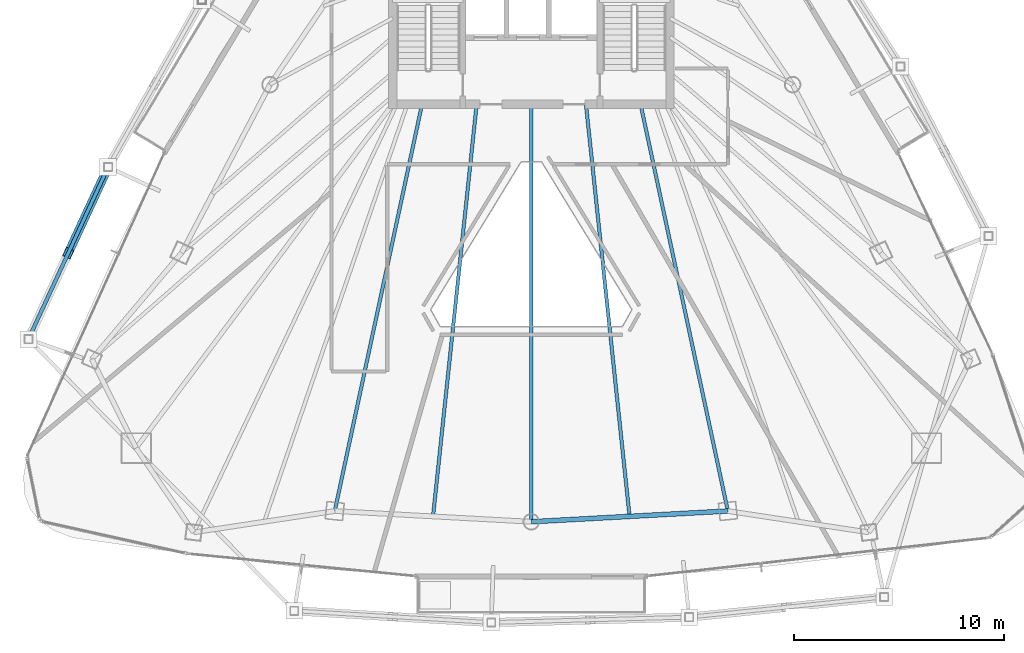
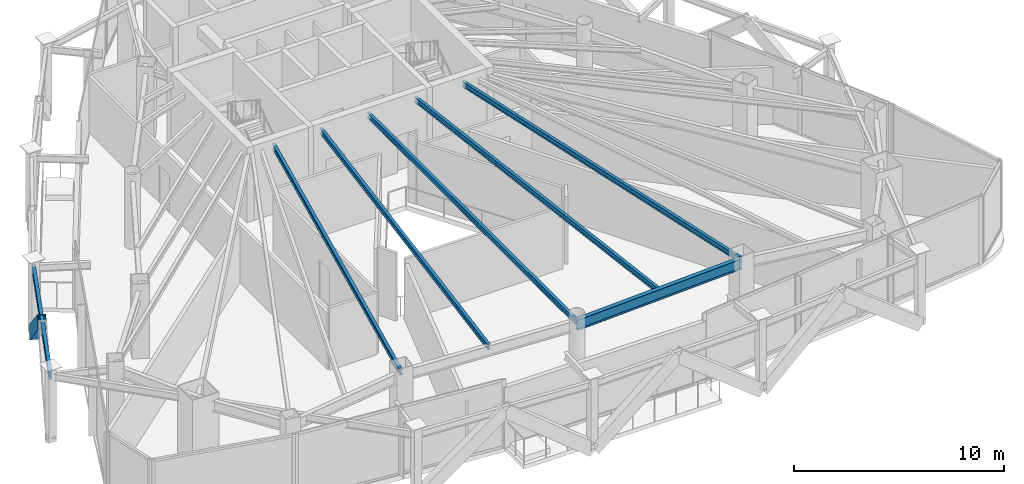
# One storey, part 7 of 27: 7 beams, 1 member.
"""IFC4 building model written with IfcOpenShell, lengths in metres."""

from ifc_helpers import new_model, si_unit, direction, frame, origin, origin_2d, place, context, subcontext, project, spatial, hollow_rectangle, i_section, extrude, material, material_profile, profile_set, type_object, element, save


model = new_model("IFC4")

# Units and contexts
model_context = context("Model", 3, precision=1e-05, world=origin(), true_north=direction((0.0, 1.0)))
body_context = subcontext(model_context, "Body", "Model", "MODEL_VIEW")
ifc_project = project(units=[si_unit("LENGTHUNIT", "METRE"), si_unit("AREAUNIT", "SQUARE_METRE"), si_unit("VOLUMEUNIT", "CUBIC_METRE"), si_unit("PLANEANGLEUNIT", "RADIAN"), si_unit("MASSUNIT", "GRAM", prefix="KILO")], contexts=[model_context])

# Site, building, storey
site_placement = place(None, origin())
site = spatial("IfcSite", under=ifc_project, at=site_placement, CompositionType="ELEMENT")
building_placement = place(site_placement, origin())
building = spatial("IfcBuilding", under=site, at=building_placement, Name="Orvanel Arch Residences", CompositionType="ELEMENT")
storey_placement = place(building_placement, frame((0.0, 0.0, 186.949951171875)))
storey = spatial("IfcBuildingStorey", under=building, at=storey_placement, Name="L53", CompositionType="ELEMENT", Elevation=186.949951171875)

# Beams
ifc_material_1 = material(Name="Structural steel AS/NZS 3679.1 Grade 300 (300 MPa)", Category="steel")
ifc_material_profile_1 = material_profile(ifc_material_1, i_section(OverallWidth=0.1650390625, OverallDepth=0.303955078125, WebThickness=0.006103515625, FlangeThickness=0.01025390625, at=origin_2d()), Name="310UB40.4")
ifc_profile_set_1 = profile_set([ifc_material_profile_1], Name="Structural steel AS/NZS 3679.1 Grade 300 (300 MPa)")
beam_type_1 = type_object("IfcBeamType", Name="BJ-310UB", PredefinedType="JOIST", material=ifc_profile_set_1)
for number, where, z_axis, x_axis, name in (
    (1, (27.800048828125, 26.699951171875, 3.798095703125), (-0.209808012425, -0.977742603103, 0.0), (0.977742603103, -0.209808012425, 0.0), "L53 SW Wing Floor Joist"),
    (2, (38.199951171875, 26.699951171875, 3.798095703125), (0.209808012425, -0.977742603103, 0.0), (0.977742603103, 0.209808012425, 0.0), "L53 SE Wing Floor Joist"),
):
    element("IfcBeam", number, at=place(storey_placement, frame(where, z_axis=z_axis, x_axis=x_axis)), inside=storey, type_object=beam_type_1, Name=name, PredefinedType="JOIST", context=body_context, shape_type="SweptSolid", body=[
        extrude(i_section(OverallWidth=0.1650390625, OverallDepth=0.303955078125, WebThickness=0.006103515625, FlangeThickness=0.01025390625, at=origin_2d()), origin(), (0.0, 0.0, 1.0), 19.785400390625),
    ])
beam_1_placement = place(storey_placement, frame((33.0, 26.699951171875, 3.798095703125), z_axis=(0.0, -1.0, 0.0), x_axis=(1.0, 0.0, 0.0)))
element("IfcBeam", 3, at=beam_1_placement, inside=storey, type_object=beam_type_1, Name="L53 SSW Wing Floor Joist", PredefinedType="JOIST", context=body_context, shape_type="SweptSolid", body=[
    extrude(i_section(OverallWidth=0.1650390625, OverallDepth=0.303955078125, WebThickness=0.006103515625, FlangeThickness=0.01025390625, at=origin_2d()), origin(), (0.0, 0.0, 1.0), 19.85595703125),
])
for number, where, z_axis, x_axis, name in (
    (4, (30.39990234375, 26.699951171875, 3.798095703125), (-0.105277340935, -0.994442900063, 0.0), (0.994442900063, -0.105277340935, 0.0), "L53 WSW2 Wing Floor Joist"),
    (5, (35.60009765625, 26.699951171875, 3.798095703125), (0.105277340935, -0.994442900063, 0.0), (0.994442900063, 0.105277340935, 0.0), "L53 ESE2 Wing Floor Joist"),
):
    element("IfcBeam", number, at=place(storey_placement, frame(where, z_axis=z_axis, x_axis=x_axis)), inside=storey, type_object=beam_type_1, Name=name, PredefinedType="JOIST", context=body_context, shape_type="SweptSolid", body=[
        extrude(i_section(OverallWidth=0.1650390625, OverallDepth=0.303955078125, WebThickness=0.006103515625, FlangeThickness=0.01025390625, at=origin_2d()), origin(), (0.0, 0.0, 1.0), 19.70947265625),
    ])

# Member
ifc_material_2 = material(Name="Structural steel AS/NZS 3678 Grade 350", Category="steel")
ifc_material_profile_2 = material_profile(ifc_material_2, hollow_rectangle(XDim=0.419921875, YDim=0.719970703125, WallThickness=0.02490234375, at=origin_2d()), Name="RHS720x420x25")
ifc_profile_set_2 = profile_set([ifc_material_profile_2], Name="Structural steel AS/NZS 3678 Grade 350")
member_type = type_object("IfcMemberType", Name="BR-720RHS-EXT", PredefinedType="BRACE", material=ifc_profile_set_2)
member_placement = place(storey_placement, frame((12.867919921875, 23.716064453125, 0.0), z_axis=(-0.323469548527, -0.697936548399, 0.63894602713), x_axis=(0.907292981517, -0.420499043626, 0.0)))
element("IfcMember", 6, at=member_placement, inside=storey, type_object=member_type, Name="L53 Exterior Sky-Garden V-Frame Chevron F1B3.1", PredefinedType="BRACE", context=body_context, shape_type="SweptSolid", body=[
    extrude(hollow_rectangle(XDim=0.419921875, YDim=0.719970703125, WallThickness=0.02490234375, at=origin_2d()), origin(), (0.0, 0.0, 1.0), 5.864501953125),
])

# Beams
ifc_material_profile_3 = material_profile(ifc_material_1, i_section(OverallWidth=0.177978515625, OverallDepth=0.406005859375, WebThickness=0.0078125, FlangeThickness=0.0126953125, at=origin_2d()), Name="410UB59.7")
ifc_profile_set_3 = profile_set([ifc_material_profile_3], Name="Structural steel AS/NZS 3679.1 Grade 300 (300 MPa)")
beam_type_2 = type_object("IfcBeamType", Name="OB-410UB-EXT", PredefinedType="SPANDREL", material=ifc_profile_set_3)
beam_2_placement = place(storey_placement, frame((12.867919921875, 23.716064453125, 3.7470703125), z_axis=(-0.4204512319, -0.907315139075, 0.0), x_axis=(0.907315139075, -0.4204512319, 0.0)))
element("IfcBeam", 7, at=beam_2_placement, inside=storey, type_object=beam_type_2, Name="L53 Outer Perimeter Floor Ring Beam 03", PredefinedType="SPANDREL", context=body_context, shape_type="SweptSolid", body=[
    extrude(i_section(OverallWidth=0.177978515625, OverallDepth=0.406005859375, WebThickness=0.0078125, FlangeThickness=0.0126953125, at=origin_2d()), origin(), (0.0, 0.0, 1.0), 9.021240234375),
])
ifc_material_profile_4 = material_profile(ifc_material_1, i_section(OverallWidth=0.22900390625, OverallDepth=0.612060546875, WebThickness=0.011962890625, FlangeThickness=0.01953125, at=origin_2d()), Name="610UB125")
ifc_profile_set_4 = profile_set([ifc_material_profile_4], Name="Structural steel AS/NZS 3679.1 Grade 300 (300 MPa)")
beam_type_3 = type_object("IfcBeamType", Name="SP-610UB", PredefinedType="SPANDREL", material=ifc_profile_set_4)
beam_3_placement = place(storey_placement, frame((33.0, 6.843994140625, 3.64404296875), z_axis=(0.998510315598, 0.054563262768, 0.0), x_axis=(-0.054563262768, 0.998510315598, 0.0)))
element("IfcBeam", 8, at=beam_3_placement, inside=storey, type_object=beam_type_3, Name="L53 Perimeter Spandrel Beam 06", PredefinedType="SPANDREL", context=body_context, shape_type="SweptSolid", body=[
    extrude(i_section(OverallWidth=0.22900390625, OverallDepth=0.612060546875, WebThickness=0.011962890625, FlangeThickness=0.01953125, at=origin_2d()), origin(), (0.0, 0.0, 1.0), 9.364990234375),
])

save(model, "model.ifc")
